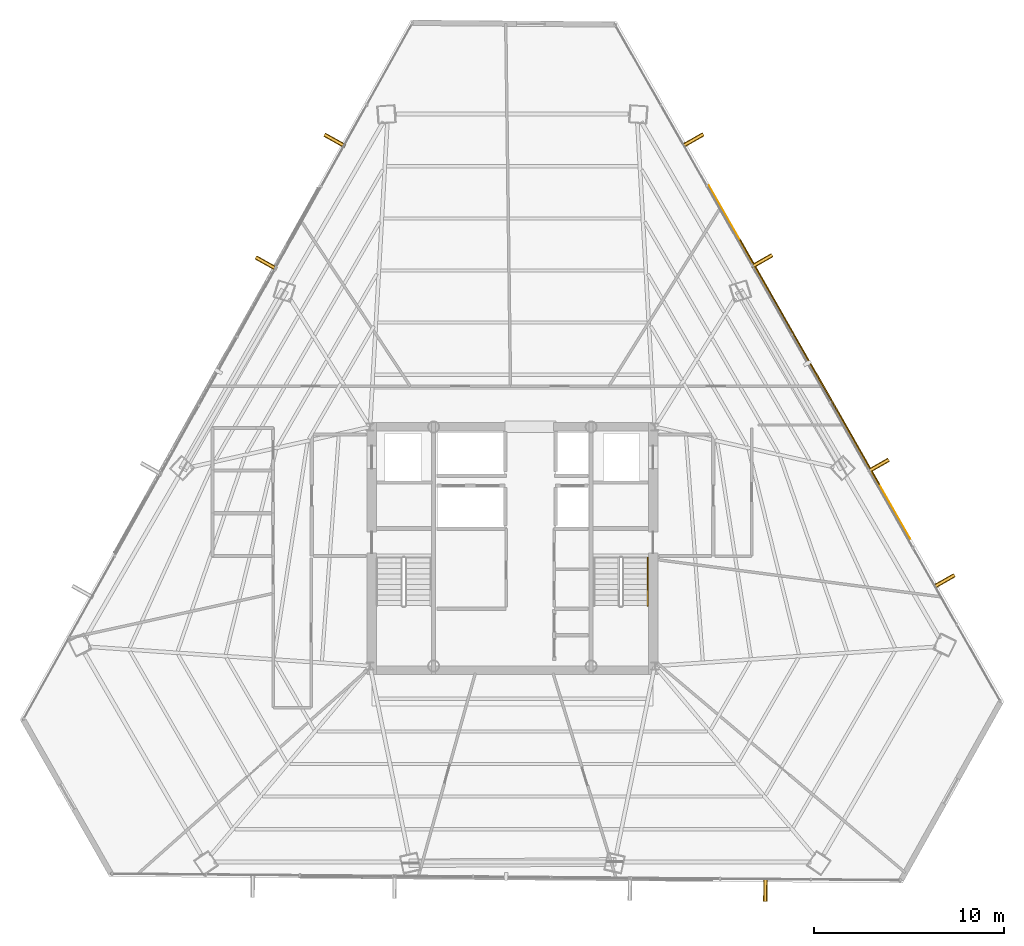
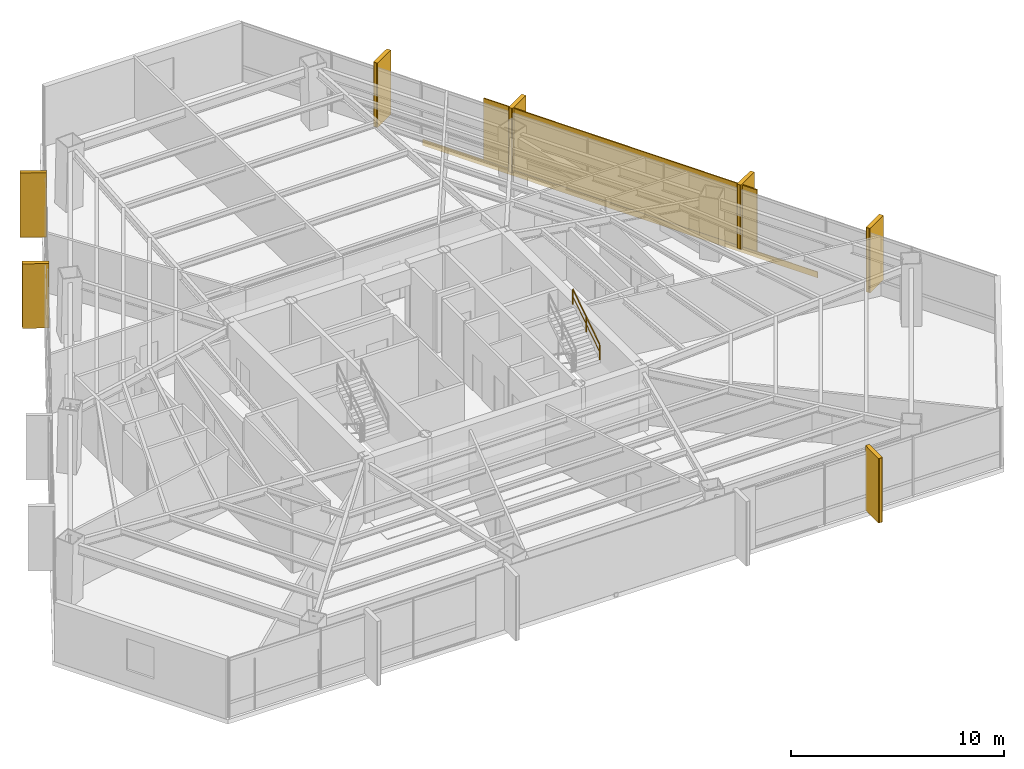
# One storey, part 39 of 39: 8 coverings, 8 shading devices, 1 railing.
"""IFC4 building model written with IfcOpenShell, lengths in metres."""

from ifc_helpers import new_model, si_unit, direction, frame, origin, origin_2d, place, context, subcontext, project, spatial, rectangle, extrude, source, transform, mapped, material, layer, layer_set, type_object, type_shapes, element, save


model = new_model("IFC4")

# Units and contexts
model_context = context("Model", 3, precision=1e-05, world=origin(), true_north=direction((0.0, 1.0)))
body_context = subcontext(model_context, "Body", "Model", "MODEL_VIEW")
ifc_project = project(units=[si_unit("LENGTHUNIT", "METRE"), si_unit("AREAUNIT", "SQUARE_METRE"), si_unit("VOLUMEUNIT", "CUBIC_METRE"), si_unit("PLANEANGLEUNIT", "RADIAN"), si_unit("MASSUNIT", "GRAM", prefix="KILO")], contexts=[model_context])

# Site, building, storey
site_placement = place(None, origin())
site = spatial("IfcSite", under=ifc_project, at=site_placement, CompositionType="ELEMENT")
building_placement = place(site_placement, origin())
building = spatial("IfcBuilding", under=site, at=building_placement, Name="Caelisora Broadcast Tower", CompositionType="ELEMENT")
storey_placement = place(building_placement, frame((0.0, 0.0, 139.10009765625)))
storey = spatial("IfcBuildingStorey", under=building, at=storey_placement, Name="L36", CompositionType="ELEMENT", Elevation=139.10009765625)

# Railing
ifc_material_1 = material(Name="Stainless Steel Grade 316 Tubular Handrail", Category="steel")
ifc_layer_1 = layer(ifc_material_1, 0.048095703125, Name="Stainless Steel Grade 316 Tubular Handrail")
ifc_layer_set_1 = layer_set([ifc_layer_1], Name="Stainless Steel Grade 316 Tubular Handrail")
railing_type = type_object("IfcRailingType", Name="HR-1", PredefinedType="HANDRAIL", material=ifc_layer_set_1)
railing_placement = place(storey_placement, frame((45.1298828125, 20.580078125, 2.00732421875)))
element("IfcRailing", 1, at=railing_placement, inside=storey, type_object=railing_type, Name="L36 ST-2 stair handrail 2", PredefinedType="HANDRAIL", context=body_context, shape_type="SweptSolid", body=[
    extrude(rectangle(XDim=0.048095703125, YDim=0.048095703125, at=origin_2d()), frame((0.0, 0.0, 0.8759765625), z_axis=(0.0, 0.837749427056, 0.546054848405), x_axis=(-1.0, 0.0, 0.0)), (0.0, 0.0, 1.0), 3.008056640625),
    extrude(rectangle(XDim=0.03125, YDim=0.03125, at=origin_2d()), frame((0.0, 0.0, 0.449951171875), z_axis=(0.0, 0.837749427056, 0.546054848405), x_axis=(-1.0, 0.0, 0.0)), (0.0, 0.0, 1.0), 3.008056640625),
    extrude(rectangle(XDim=0.0419921875, YDim=0.0419921875, at=origin_2d()), origin(), (0.0, 0.0, 1.0), 0.851806640625),
    extrude(rectangle(XDim=0.0419921875, YDim=0.0419921875, at=origin_2d()), frame((0.0, 1.260009765625, 0.8212890625)), (0.0, 0.0, 1.0), 0.851806640625),
    extrude(rectangle(XDim=0.0419921875, YDim=0.0419921875, at=origin_2d()), frame((0.0, 2.52001953125, 1.642578125)), (0.0, 0.0, 1.0), 0.851806640625),
])

# Coverings
ifc_material_2 = material(Name="Kiln-Fired Terracotta Spandrel Rainscreen Cladding", Category="ceramic")
ifc_layer_2 = layer(ifc_material_2, 0.044921875, Name="Kiln-Fired Terracotta Spandrel Rainscreen Cladding")
ifc_layer_set_2 = layer_set([ifc_layer_2], Name="Kiln-Fired Terracotta Spandrel Rainscreen Cladding")
covering_type = type_object("IfcCoveringType", Name="CL-1", PredefinedType="CLADDING", material=ifc_layer_set_2)
shared_shape_1 = source(origin(), body_context, "Body", "SweptSolid", [
    extrude(rectangle(XDim=0.219970703125, YDim=1.25, at=origin_2d()), origin(), (0.0, 0.0, 1.0), 3.68994140625),
])
for number, where, z_axis, x_axis, name in (
    (2, (47.519775390625, 45.109130859375, -0.02001953125), (0.0, 0.0, 1.0), (0.495003786139, -0.868890816908, 0.0), "L36 vertical solar fin cladding #1-1"),
    (3, (51.14697265625, 38.7412109375, -0.02001953125), (0.0, 0.0, 1.0), (0.495003786139, -0.868890816908, 0.0), "L36 vertical solar fin cladding #1-2"),
    (4, (57.287109375, 27.96142578125, -0.02001953125), (0.0, 0.0, 1.0), (0.495003786139, -0.868890816908, 0.0), "L36 vertical solar fin cladding #1-3"),
    (5, (60.751953125, 21.87890625, -0.02001953125), (0.0, 0.0, 1.0), (0.495003786139, -0.868890816908, 0.0), "L36 vertical solar fin cladding #1-4"),
    (6, (51.330322265625, 5.611328125, -0.02001953125), (0.0, 0.0, 1.0), (-0.999966355195, 0.008202955488, 0.0), "L36 vertical solar fin cladding #2-1"),
    (7, (25.0302734375, 38.62548828125, -0.02001953125), (0.0, 0.0, 1.0), (0.487859659139, 0.87292207727, 0.0), "L36 vertical solar fin cladding #3-3"),
    (8, (28.644287109375, 45.093017578125, -0.02001953125), (0.0, 0.0, 1.0), (0.487859659139, 0.87292207727, 0.0), "L36 vertical solar fin cladding #3-4"),
):
    element("IfcCovering", number, at=place(storey_placement, frame(where, z_axis=z_axis, x_axis=x_axis)), inside=storey, type_object=covering_type, Name=name, PredefinedType="CLADDING", context=body_context, shape_type="MappedRepresentation", body=[
        mapped(shared_shape_1, transform((0.0, 0.0, 0.0), scale=1.0)),
    ])

# Shading devices
ifc_material_3 = material(Name="Extruded Terracotta Flaring Colonnade Fin", Category="ceramic")
ifc_layer_3 = layer(ifc_material_3, 0.139892578125, Name="Extruded Terracotta Flaring Colonnade Fin")
ifc_layer_set_3 = layer_set([ifc_layer_3], Name="Extruded Terracotta Flaring Colonnade Fin")
shading_device_type_1 = type_object("IfcShadingDeviceType", Name="FN-1", PredefinedType="USERDEFINED", material=ifc_layer_set_3)
shared_shape_2 = source(origin(), body_context, "Body", "SweptSolid", [
    extrude(rectangle(XDim=0.139892578125, YDim=1.25, at=origin_2d()), origin(), (0.0, 0.0, 1.0), 3.669921875),
])
type_shapes(shading_device_type_1, [shared_shape_2])
for number, where, z_axis, x_axis, name in (
    (9, (47.519775390625, 45.109130859375, -0.010009765625), (0.0, 0.0, 1.0), (0.495003786139, -0.868890816908, 0.0), "L36 vertical terracotta fin #1-1"),
    (10, (51.14697265625, 38.7412109375, -0.010009765625), (0.0, 0.0, 1.0), (0.495003786139, -0.868890816908, 0.0), "L36 vertical terracotta fin #1-2"),
    (11, (57.287109375, 27.96142578125, -0.010009765625), (0.0, 0.0, 1.0), (0.495003786139, -0.868890816908, 0.0), "L36 vertical terracotta fin #1-3"),
    (12, (60.751953125, 21.87890625, -0.010009765625), (0.0, 0.0, 1.0), (0.495003786139, -0.868890816908, 0.0), "L36 vertical terracotta fin #1-4"),
    (13, (51.330322265625, 5.611328125, -0.010009765625), (0.0, 0.0, 1.0), (-0.999966355195, 0.008202955488, 0.0), "L36 vertical terracotta fin #2-1"),
    (14, (25.0302734375, 38.62548828125, -0.010009765625), (0.0, 0.0, 1.0), (0.487859659139, 0.87292207727, 0.0), "L36 vertical terracotta fin #3-3"),
    (15, (28.644287109375, 45.093017578125, -0.010009765625), (0.0, 0.0, 1.0), (0.487859659139, 0.87292207727, 0.0), "L36 vertical terracotta fin #3-4"),
):
    element("IfcShadingDevice", number, at=place(storey_placement, frame(where, z_axis=z_axis, x_axis=x_axis)), inside=storey, type_object=shading_device_type_1, Name=name, ObjectType="FIN", PredefinedType="USERDEFINED", context=body_context, shape_type="MappedRepresentation", body=[
        mapped(shared_shape_2, transform((0.0, 0.0, 0.0), scale=1.0)),
    ])
ifc_material_4 = material(Name="Perforated Glazed Terracotta Baguette Solar Screen", Category="ceramic")
ifc_layer_4 = layer(ifc_material_4, 0.06494140625, Name="Perforated Glazed Terracotta Baguette Solar Screen")
ifc_layer_set_4 = layer_set([ifc_layer_4], Name="Perforated Glazed Terracotta Baguette Solar Screen")
shading_device_type_2 = type_object("IfcShadingDeviceType", Name="SS-1", PredefinedType="USERDEFINED", material=ifc_layer_set_4)
shared_shape_3 = source(origin(), body_context, "Body", "SweptSolid", [
    extrude(rectangle(XDim=14.843994140625, YDim=0.06494140625, at=origin_2d()), origin(), (0.0, 0.0, 1.0), 3.590087890625),
])
type_shapes(shading_device_type_2, [shared_shape_3])
shading_device_placement = place(storey_placement, frame((53.6630859375, 33.414794921875, 0.0), z_axis=(0.0, 0.0, 1.0), x_axis=(-0.495003786139, 0.868890816908, 0.0)))
element("IfcShadingDevice", 16, at=shading_device_placement, inside=storey, type_object=shading_device_type_2, Name="L36 perforated terracotta solar screen #3", ObjectType="SOLAR SCREEN", PredefinedType="USERDEFINED", context=body_context, shape_type="MappedRepresentation", body=[
    mapped(shared_shape_3, transform((0.0, 0.0, 0.0), scale=1.0)),
])

# Covering
shared_shape_4 = source(origin(), body_context, "Body", "SweptSolid", [
    extrude(rectangle(XDim=21.44091796875, YDim=0.044921875, at=origin_2d()), origin(), (0.0, 0.0, 1.0), 0.340087890625),
])
type_shapes(covering_type, [shared_shape_1, shared_shape_4])
covering_placement = place(storey_placement, frame((53.64599609375, 33.40478515625, -0.27001953125), z_axis=(0.0, 0.0, 1.0), x_axis=(-0.495003786139, 0.868890816908, 0.0)))
element("IfcCovering", 17, at=covering_placement, inside=storey, type_object=covering_type, Name="L36 terracotta spandrel rainscreen #3", PredefinedType="CLADDING", context=body_context, shape_type="MappedRepresentation", body=[
    mapped(shared_shape_4, transform((0.0, 0.0, 0.0), scale=1.0)),
])

save(model, "model.ifc")
